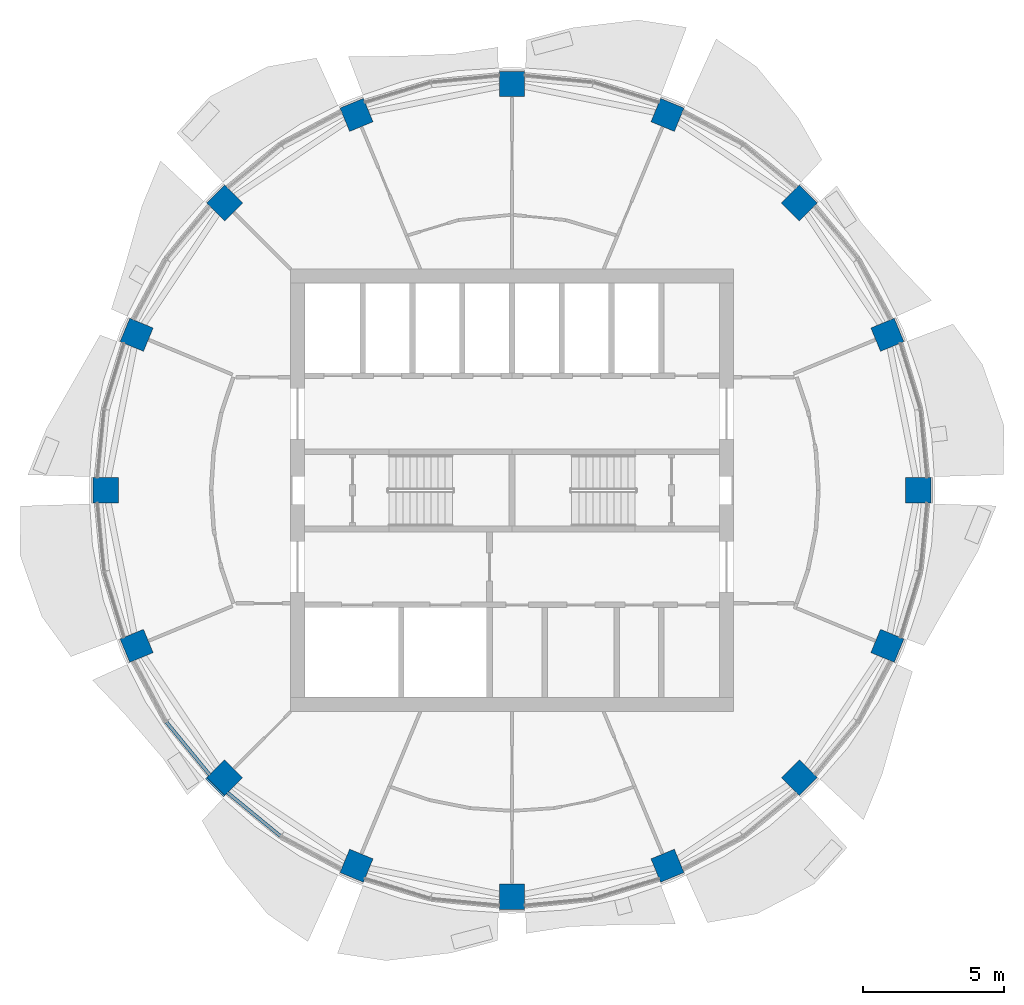
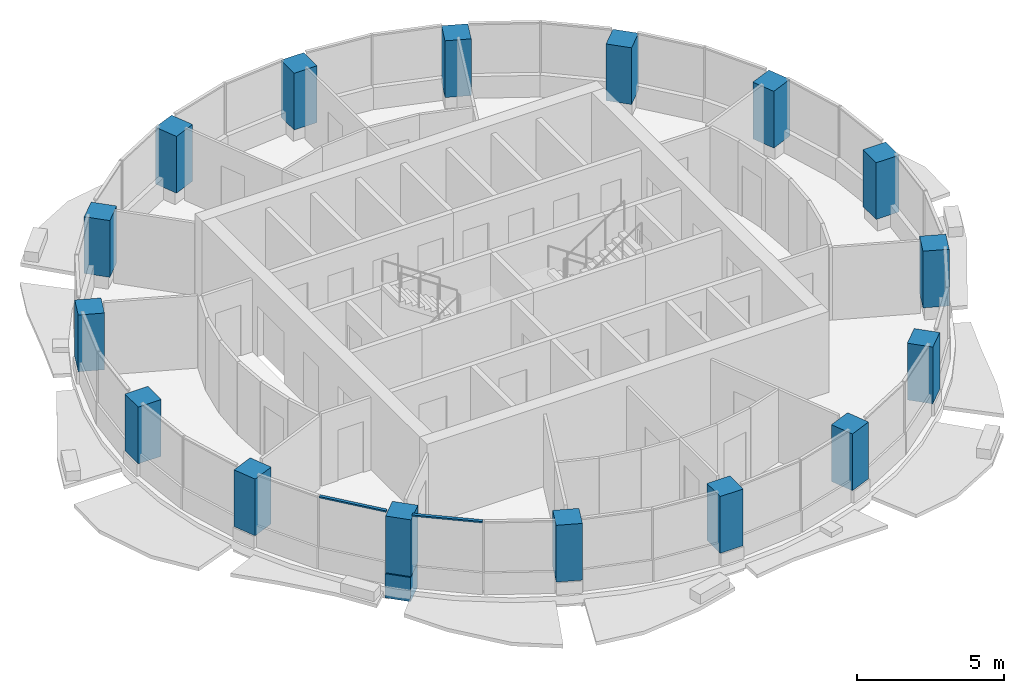
# One storey, part 1 of 14: 16 columns, 3 members, 2 elements without a shape of their own.
"""IFC4 building model written with IfcOpenShell, lengths in metres."""

from ifc_helpers import new_model, si_unit, direction, frame, origin, origin_2d, place, context, subcontext, project, spatial, rectangle, extrude, material, material_profile, profile_set, type_object, element, aggregate, save


model = new_model("IFC4")

# Units and contexts
model_context = context("Model", 3, precision=1e-05, world=origin(), true_north=direction((0.0, 1.0)))
body_context = subcontext(model_context, "Body", "Model", "MODEL_VIEW")
ifc_project = project(units=[si_unit("LENGTHUNIT", "METRE"), si_unit("AREAUNIT", "SQUARE_METRE"), si_unit("VOLUMEUNIT", "CUBIC_METRE"), si_unit("PLANEANGLEUNIT", "RADIAN"), si_unit("MASSUNIT", "GRAM", prefix="KILO")], contexts=[model_context])

# Site, building, storey
site_placement = place(None, origin())
site = spatial("IfcSite", under=ifc_project, at=site_placement, CompositionType="ELEMENT")
building_placement = place(site_placement, origin())
building = spatial("IfcBuilding", under=site, at=building_placement, Name="Polderwave Tower", CompositionType="ELEMENT")
storey_placement = place(building_placement, frame((0.0, 0.0, 227.85009765625)))
storey = spatial("IfcBuildingStorey", under=building, at=storey_placement, Name="L62", CompositionType="ELEMENT", Elevation=227.85009765625)

# Columns
ifc_material_1 = material(Name="Concrete C60/75", Category="concrete")
ifc_material_profile_1 = material_profile(ifc_material_1, rectangle(XDim=0.89990234375, YDim=0.89990234375, at=origin_2d()), Name="RC 900x900")
ifc_profile_set_1 = profile_set([ifc_material_profile_1], Name="Concrete C60/75")
column_type = type_object("IfcColumnType", Name="RC COLUMN 900x900 C60/75", PredefinedType="COLUMN", material=ifc_profile_set_1)
for number, where, z_axis, x_axis, name in (
    (1, (14.449951171875, 0.0, 0.5), (0.0, 0.0, 1.0), (1.0, 0.0, 0.0), "Ring column 01"),
    (2, (13.35009765625, 5.52978515625, 0.5), (0.0, 0.0, 1.0), (0.923879532511, 0.382683432365, 0.0), "Ring column 02"),
    (3, (10.2177734375, 10.2177734375, 0.5), (0.0, 0.0, 1.0), (0.707106781187, 0.707106781187, 0.0), "Ring column 03"),
    (4, (5.52978515625, 13.35009765625, 0.5), (0.0, 0.0, 1.0), (0.382683432365, 0.923879532511, 0.0), "Ring column 04"),
    (5, (0.0, 14.449951171875, 0.5), (0.0, 0.0, 1.0), (0.0, 1.0, 0.0), "Ring column 05"),
    (6, (-5.52978515625, 13.35009765625, 0.5), (0.0, 0.0, 1.0), (-0.382683432365, 0.923879532511, 0.0), "Ring column 06"),
    (7, (-10.2177734375, 10.2177734375, 0.5), (0.0, 0.0, 1.0), (-0.707106781187, 0.707106781187, 0.0), "Ring column 07"),
    (8, (-13.35009765625, 5.52978515625, 0.5), (0.0, 0.0, 1.0), (-0.923879532511, 0.382683432365, 0.0), "Ring column 08"),
    (9, (-14.449951171875, 0.0, 0.5), (0.0, 0.0, 1.0), (-1.0, 0.0, 0.0), "Ring column 09"),
    (10, (-13.35009765625, -5.52978515625, 0.5), (0.0, 0.0, 1.0), (-0.923879532511, -0.382683432365, 0.0), "Ring column 10"),
    (11, (-10.2177734375, -10.2177734375, 0.5), (0.0, 0.0, 1.0), (-0.707106781187, -0.707106781187, 0.0), "Ring column 11"),
    (12, (-5.52978515625, -13.35009765625, 0.5), (0.0, 0.0, 1.0), (-0.382683432365, -0.923879532511, 0.0), "Ring column 12"),
    (13, (0.0, -14.449951171875, 0.5), (0.0, 0.0, 1.0), (0.0, -1.0, 0.0), "Ring column 13"),
    (14, (5.52978515625, -13.35009765625, 0.5), (0.0, 0.0, 1.0), (0.382683432365, -0.923879532511, 0.0), "Ring column 14"),
    (15, (10.2177734375, -10.2177734375, 0.5), (0.0, 0.0, 1.0), (0.707106781187, -0.707106781187, 0.0), "Ring column 15"),
    (16, (13.35009765625, -5.52978515625, 0.5), (0.0, 0.0, 1.0), (0.923879532511, -0.382683432365, 0.0), "Ring column 16"),
):
    element("IfcColumn", number, at=place(storey_placement, frame(where, z_axis=z_axis, x_axis=x_axis)), inside=storey, type_object=column_type, Name=name, PredefinedType="COLUMN", context=body_context, shape_type="SweptSolid", body=[
        extrude(rectangle(XDim=0.89990234375, YDim=0.89990234375, at=origin_2d()), origin(), (0.0, 0.0, 1.0), 2.349853515625),
    ])

# Curtain wall, member
ifc_material_2 = material(Name="Aluminium 6063-T6 and glass", Category="aluminium")
curtain_wall_type = type_object("IfcCurtainWallType", Name="Office ribbon glazing wall", PredefinedType="NOTDEFINED", material=ifc_material_2)
curtain_wall_1_placement = place(storey_placement, origin())
curtain_wall_1 = element("IfcCurtainWall", 17, at=curtain_wall_1_placement, inside=storey, type_object=curtain_wall_type, Name="CW3 L62 09", PredefinedType="NOTDEFINED")
ifc_material_3 = material(Name="Aluminium 6063-T6", Category="aluminium")
ifc_material_profile_2 = material_profile(ifc_material_3, rectangle(XDim=0.1201171875, YDim=0.06005859375, at=origin_2d()), Name="AL 60x120")
ifc_profile_set_2 = profile_set([ifc_material_profile_2], Name="Aluminium 6063-T6")
member_type_1 = type_object("IfcMemberType", Name="Office ribbon glazing transom 60x120", PredefinedType="USERDEFINED", material=ifc_profile_set_2)
member_1_placement = place(storey_placement, frame((-12.28857421875, -8.243408203125, 2.969970703125), z_axis=(0.634356767429, -0.773040420429, 0.0), x_axis=(0.773040420429, 0.634356767429, 0.0)))
member_1 = element("IfcMember", 18, at=member_1_placement, type_object=member_type_1, Name="CW3 transom 2", ObjectType="TRANSOM", PredefinedType="USERDEFINED", context=body_context, shape_type="SweptSolid", body=[
    extrude(rectangle(XDim=0.1201171875, YDim=0.06005859375, at=origin_2d()), origin(), (0.0, 0.0, 1.0), 2.42236328125),
])
aggregate(curtain_wall_1, [member_1])

curtain_wall_2_placement = place(storey_placement, origin())
curtain_wall_2 = element("IfcCurtainWall", 19, at=curtain_wall_2_placement, inside=storey, type_object=curtain_wall_type, Name="CW3 L62 10", PredefinedType="NOTDEFINED")
member_2_placement = place(storey_placement, frame((-10.115966796875, -10.751953125, 2.969970703125), z_axis=(0.773040420429, -0.634356767429, 0.0), x_axis=(0.634356767429, 0.773040420429, 0.0)))
member_2 = element("IfcMember", 20, at=member_2_placement, type_object=member_type_1, Name="CW3 transom 1", ObjectType="TRANSOM", PredefinedType="USERDEFINED", context=body_context, shape_type="SweptSolid", body=[
    extrude(rectangle(XDim=0.1201171875, YDim=0.06005859375, at=origin_2d()), origin(), (0.0, 0.0, 1.0), 2.42236328125),
])
aggregate(curtain_wall_2, [member_2])

# Member
ifc_material_profile_3 = material_profile(ifc_material_1, rectangle(XDim=0.89990234375, YDim=0.89990234375, at=origin_2d()), Name="RC 900x900")
ifc_profile_set_3 = profile_set([ifc_material_profile_3], Name="Concrete C60/75")
member_type_2 = type_object("IfcMemberType", Name="RC NODE 900x900 C60/75", PredefinedType="POST", material=ifc_profile_set_3)
member_3_placement = place(storey_placement, frame((-10.25732421875, -10.25732421875, -0.5), z_axis=(0.0, 0.0, 1.0), x_axis=(-0.707106781187, -0.707106781187, 0.0)))
element("IfcMember", 21, at=member_3_placement, inside=storey, type_object=member_type_2, Name="Ring column node 11", PredefinedType="POST", context=body_context, shape_type="SweptSolid", body=[
    extrude(rectangle(XDim=0.89990234375, YDim=0.89990234375, at=origin_2d()), origin(), (0.0, 0.0, 1.0), 1.0),
])

save(model, "model.ifc")
